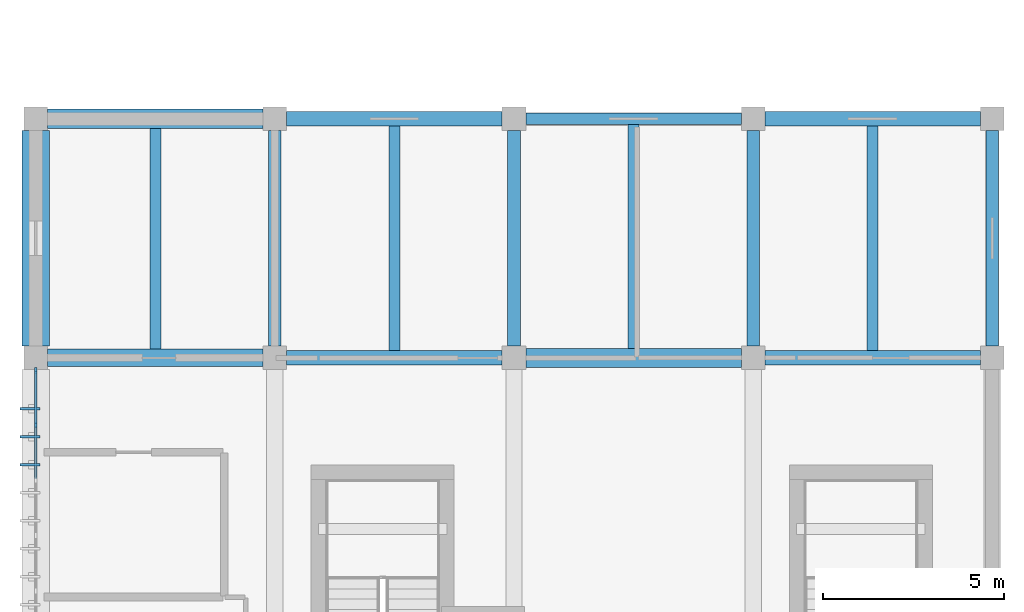
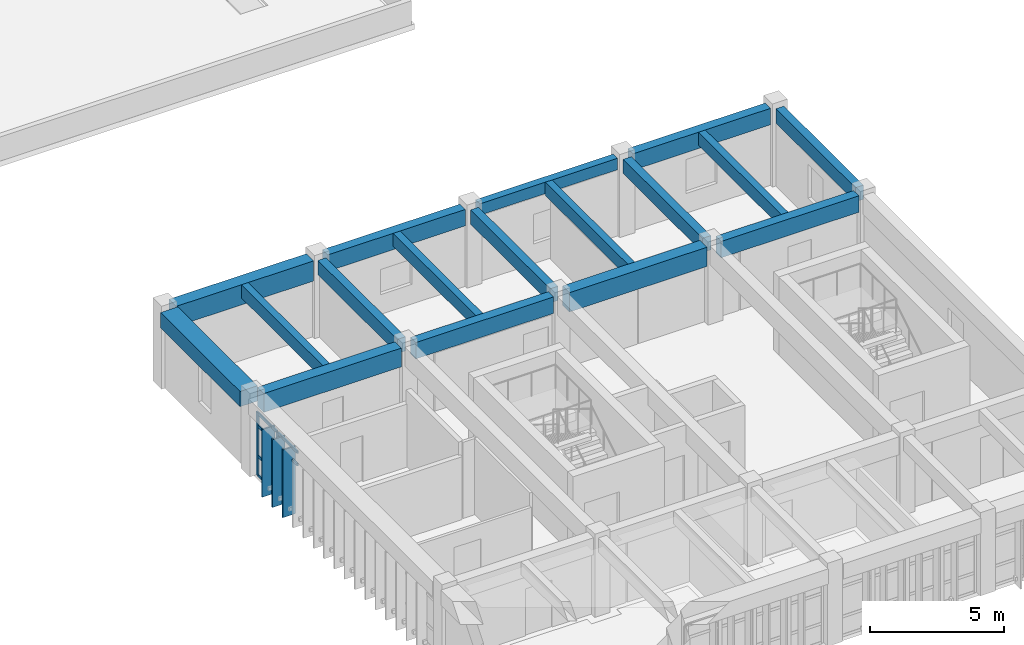
# One storey, part 4 of 9: 17 beams, 11 members, 1 element without a shape of its own.
"""IFC4 building model written with IfcOpenShell, lengths in metres."""

from ifc_helpers import new_model, si_unit, direction, frame, origin, origin_2d, place, context, subcontext, project, spatial, rectangle, extrude, material, layer, layer_set, material_profile, profile_set, type_object, element, aggregate, save


model = new_model("IFC4")

# Units and contexts
model_context = context("Model", 3, precision=1e-05, world=origin(), true_north=direction((0.0, 1.0)))
body_context = subcontext(model_context, "Body", "Model", "MODEL_VIEW")
ifc_project = project(units=[si_unit("LENGTHUNIT", "METRE"), si_unit("AREAUNIT", "SQUARE_METRE"), si_unit("VOLUMEUNIT", "CUBIC_METRE"), si_unit("PLANEANGLEUNIT", "RADIAN"), si_unit("MASSUNIT", "GRAM", prefix="KILO")], contexts=[model_context])

# Site, building, storey
site_placement = place(None, origin())
site = spatial("IfcSite", under=ifc_project, at=site_placement, CompositionType="ELEMENT")
building_placement = place(site_placement, origin())
building = spatial("IfcBuilding", under=site, at=building_placement, Name="Miralva Faculty of Natural Sciences", CompositionType="ELEMENT")
storey_placement = place(building_placement, frame((0.0, 0.0, 33.0)))
storey = spatial("IfcBuildingStorey", under=building, at=storey_placement, Name="L07", CompositionType="ELEMENT", Elevation=33.0)

# Beams
ifc_material_1 = material(Name="Concrete C40/50", Category="concrete")
ifc_material_profile_1 = material_profile(ifc_material_1, rectangle(XDim=0.39990234375, YDim=0.75, at=origin_2d()), Name="RC 400x750")
ifc_profile_set_1 = profile_set([ifc_material_profile_1], Name="Concrete C40/50")
beam_type_1 = type_object("IfcBeamType", Name="BM-B03", PredefinedType="BEAM", material=ifc_profile_set_1)
for number, where, z_axis, x_axis, name in (
    (1, (9.925048828125, 23.39990234375, 3.155029296875), (1.0, 0.0, 0.0), (0.0, 1.0, 0.0), "Girder EW L07-10"),
    (2, (23.125, 23.39990234375, 3.155029296875), (1.0, 0.0, 0.0), (0.0, 1.0, 0.0), "Girder EW L07-12"),
    (3, (9.925048828125, 30.0, 3.155029296875), (1.0, 0.0, 0.0), (0.0, 1.0, 0.0), "Girder EW L07-14"),
    (4, (23.125, 30.0, 3.155029296875), (1.0, 0.0, 0.0), (0.0, 1.0, 0.0), "Girder EW L07-16"),
):
    element("IfcBeam", number, at=place(storey_placement, frame(where, z_axis=z_axis, x_axis=x_axis)), inside=storey, type_object=beam_type_1, Name=name, PredefinedType="BEAM", context=body_context, shape_type="SweptSolid", body=[
        extrude(rectangle(XDim=0.39990234375, YDim=0.75, at=origin_2d()), origin(), (0.0, 0.0, 1.0), 5.949951171875),
    ])
ifc_material_profile_2 = material_profile(ifc_material_1, rectangle(XDim=0.35009765625, YDim=0.64990234375, at=origin_2d()), Name="RC 350x650")
ifc_profile_set_2 = profile_set([ifc_material_profile_2], Name="Concrete C40/50")
beam_type_2 = type_object("IfcBeamType", Name="BM-B05", PredefinedType="BEAM", material=ifc_profile_set_2)
for number, where, z_axis, x_axis, name in (
    (5, (9.60009765625, 23.72509765625, 3.205078125), (0.0, 1.0, 0.0), (-1.0, 0.0, 0.0), "Girder NS L07-22"),
    (6, (16.199951171875, 23.72509765625, 3.205078125), (0.0, 1.0, 0.0), (-1.0, 0.0, 0.0), "Girder NS L07-25"),
    (7, (22.800048828125, 23.72509765625, 3.205078125), (0.0, 1.0, 0.0), (-1.0, 0.0, 0.0), "Girder NS L07-28"),
    (8, (29.39990234375, 23.72509765625, 3.205078125), (0.0, 1.0, 0.0), (-1.0, 0.0, 0.0), "Girder NS L07-31"),
):
    element("IfcBeam", number, at=place(storey_placement, frame(where, z_axis=z_axis, x_axis=x_axis)), inside=storey, type_object=beam_type_2, Name=name, PredefinedType="BEAM", context=body_context, shape_type="SweptSolid", body=[
        extrude(rectangle(XDim=0.35009765625, YDim=0.64990234375, at=origin_2d()), origin(), (0.0, 0.0, 1.0), 5.949951171875),
    ])
ifc_material_profile_3 = material_profile(ifc_material_1, rectangle(XDim=0.320068359375, YDim=0.52001953125, at=origin_2d()), Name="RC 320x520")
ifc_profile_set_3 = profile_set([ifc_material_profile_3], Name="Concrete C40/50")
beam_type_3 = type_object("IfcBeamType", Name="BM-BG01", PredefinedType="BEAM", material=ifc_profile_set_3)
beam_1_placement = place(storey_placement, frame((16.52490234375, 30.0, 3.27001953125), z_axis=(1.0, 0.0, 0.0), x_axis=(0.0, 1.0, 0.0)))
element("IfcBeam", 9, at=beam_1_placement, inside=storey, type_object=beam_type_3, Name="Girder EW L07-15", PredefinedType="BEAM", context=body_context, shape_type="SweptSolid", body=[
    extrude(rectangle(XDim=0.320068359375, YDim=0.52001953125, at=origin_2d()), origin(), (0.0, 0.0, 1.0), 5.9501953125),
])
ifc_material_profile_4 = material_profile(ifc_material_1, rectangle(XDim=0.47998046875, YDim=0.860107421875, at=origin_2d()), Name="RC 480x860")
ifc_profile_set_4 = profile_set([ifc_material_profile_4], Name="Concrete C40/50")
beam_type_4 = type_object("IfcBeamType", Name="BM-BG17", PredefinedType="BEAM", material=ifc_profile_set_4)
beam_2_placement = place(storey_placement, frame((3.324951171875, 23.39990234375, 3.10009765625), z_axis=(1.0, 0.0, 0.0), x_axis=(0.0, 1.0, 0.0)))
element("IfcBeam", 10, at=beam_2_placement, inside=storey, type_object=beam_type_4, Name="Girder EW L07-9", PredefinedType="BEAM", context=body_context, shape_type="SweptSolid", body=[
    extrude(rectangle(XDim=0.47998046875, YDim=0.860107421875, at=origin_2d()), origin(), (0.0, 0.0, 1.0), 5.949951171875),
])
ifc_material_profile_5 = material_profile(ifc_material_1, rectangle(XDim=0.52001953125, YDim=0.8798828125, at=origin_2d()), Name="RC 520x880")
ifc_profile_set_5 = profile_set([ifc_material_profile_5], Name="Concrete C40/50")
beam_type_5 = type_object("IfcBeamType", Name="BM-BG19", PredefinedType="BEAM", material=ifc_profile_set_5)
beam_3_placement = place(storey_placement, frame((16.52490234375, 23.39990234375, 3.090087890625), z_axis=(1.0, 0.0, 0.0), x_axis=(0.0, 1.0, 0.0)))
element("IfcBeam", 11, at=beam_3_placement, inside=storey, type_object=beam_type_5, Name="Girder EW L07-11", PredefinedType="BEAM", context=body_context, shape_type="SweptSolid", body=[
    extrude(rectangle(XDim=0.52001953125, YDim=0.8798828125, at=origin_2d()), origin(), (0.0, 0.0, 1.0), 5.9501953125),
])
ifc_material_profile_6 = material_profile(ifc_material_1, rectangle(XDim=0.5400390625, YDim=0.919921875, at=origin_2d()), Name="RC 540x920")
ifc_profile_set_6 = profile_set([ifc_material_profile_6], Name="Concrete C40/50")
beam_type_6 = type_object("IfcBeamType", Name="BM-BG21", PredefinedType="BEAM", material=ifc_profile_set_6)
beam_4_placement = place(storey_placement, frame((3.324951171875, 30.0, 3.070068359375), z_axis=(1.0, 0.0, 0.0), x_axis=(0.0, 1.0, 0.0)))
element("IfcBeam", 12, at=beam_4_placement, inside=storey, type_object=beam_type_6, Name="Girder EW L07-13", PredefinedType="BEAM", context=body_context, shape_type="SweptSolid", body=[
    extrude(rectangle(XDim=0.5400390625, YDim=0.919921875, at=origin_2d()), origin(), (0.0, 0.0, 1.0), 5.949951171875),
])
ifc_material_profile_7 = material_profile(ifc_material_1, rectangle(XDim=0.300048828125, YDim=0.60009765625, at=origin_2d()), Name="RC 300x600")
ifc_profile_set_7 = profile_set([ifc_material_profile_7], Name="Concrete C40/50")
beam_type_7 = type_object("IfcBeamType", Name="BM-J01", PredefinedType="JOIST", material=ifc_profile_set_7)
beam_5_placement = place(storey_placement, frame((6.300048828125, 23.639892578125, 3.22998046875), z_axis=(0.0, 1.0, 0.0), x_axis=(-1.0, 0.0, 0.0)))
element("IfcBeam", 13, at=beam_5_placement, inside=storey, type_object=beam_type_7, Name="Floor joist L07-5", PredefinedType="JOIST", context=body_context, shape_type="SweptSolid", body=[
    extrude(rectangle(XDim=0.300048828125, YDim=0.60009765625, at=origin_2d()), origin(), (0.0, 0.0, 1.0), 6.090087890625),
])
beam_6_placement = place(storey_placement, frame((12.89990234375, 23.60009765625, 3.22998046875), z_axis=(0.0, 1.0, 0.0), x_axis=(-1.0, 0.0, 0.0)))
element("IfcBeam", 14, at=beam_6_placement, inside=storey, type_object=beam_type_7, Name="Floor joist L07-6", PredefinedType="JOIST", context=body_context, shape_type="SweptSolid", body=[
    extrude(rectangle(XDim=0.300048828125, YDim=0.60009765625, at=origin_2d()), origin(), (0.0, 0.0, 1.0), 6.199951171875),
])
beam_7_placement = place(storey_placement, frame((19.5, 23.659912109375, 3.22998046875), z_axis=(0.0, 1.0, 0.0), x_axis=(-1.0, 0.0, 0.0)))
element("IfcBeam", 15, at=beam_7_placement, inside=storey, type_object=beam_type_7, Name="Floor joist L07-7", PredefinedType="JOIST", context=body_context, shape_type="SweptSolid", body=[
    extrude(rectangle(XDim=0.300048828125, YDim=0.60009765625, at=origin_2d()), origin(), (0.0, 0.0, 1.0), 6.18017578125),
])
beam_8_placement = place(storey_placement, frame((26.10009765625, 23.60009765625, 3.22998046875), z_axis=(0.0, 1.0, 0.0), x_axis=(-1.0, 0.0, 0.0)))
element("IfcBeam", 16, at=beam_8_placement, inside=storey, type_object=beam_type_7, Name="Floor joist L07-8", PredefinedType="JOIST", context=body_context, shape_type="SweptSolid", body=[
    extrude(rectangle(XDim=0.300048828125, YDim=0.60009765625, at=origin_2d()), origin(), (0.0, 0.0, 1.0), 6.199951171875),
])
ifc_material_profile_8 = material_profile(ifc_material_1, rectangle(XDim=0.75, YDim=0.699951171875, at=origin_2d()), Name="RC 750x700")
ifc_profile_set_8 = profile_set([ifc_material_profile_8], Name="Concrete C40/50")
beam_type_8 = type_object("IfcBeamType", Name="BM-SP01", PredefinedType="SPANDREL", material=ifc_profile_set_8)
beam_9_placement = place(storey_placement, frame((3.0, 23.72509765625, 3.179931640625), z_axis=(0.0, 1.0, 0.0), x_axis=(-1.0, 0.0, 0.0)))
element("IfcBeam", 17, at=beam_9_placement, inside=storey, type_object=beam_type_8, Name="Girder NS L07-19", PredefinedType="SPANDREL", context=body_context, shape_type="SweptSolid", body=[
    extrude(rectangle(XDim=0.75, YDim=0.699951171875, at=origin_2d()), origin(), (0.0, 0.0, 1.0), 5.949951171875),
])

# Curtain wall, members
ifc_material_2 = material(Name="Laminated solar-control glass", Category="glass")
ifc_layer = layer(ifc_material_2, 0.179931640625, Name="CW-TWR-L07")
ifc_layer_set = layer_set([ifc_layer], Name="Laminated solar-control glass")
curtain_wall_type = type_object("IfcCurtainWallType", Name="CW-TWR-L07", PredefinedType="USERDEFINED", material=ifc_layer_set)
curtain_wall_placement = place(storey_placement, origin())
curtain_wall = element("IfcCurtainWall", 18, at=curtain_wall_placement, inside=storey, type_object=curtain_wall_type, Name="Curtain wall CW-15 L07-246", ObjectType="UNITISED CURTAIN WALL", PredefinedType="USERDEFINED")
ifc_material_3 = material(Name="Anodised aluminium", Category="aluminium")
ifc_material_profile_9 = material_profile(ifc_material_3, rectangle(XDim=0.06494140625, YDim=0.159912109375, at=origin_2d()), Name="MULLION 65x160")
ifc_profile_set_9 = profile_set([ifc_material_profile_9], Name="Anodised aluminium")
member_type_1 = type_object("IfcMemberType", Name="CW-M02", PredefinedType="MULLION", material=ifc_profile_set_9)
member_1_placement = place(storey_placement, frame((3.0, 21.554931640625, 0.0), z_axis=(0.0, 0.0, 1.0), x_axis=(-1.0, 0.0, 0.0)))
member_1 = element("IfcMember", 19, at=member_1_placement, type_object=member_type_1, Name="CW-15 mullion 9", PredefinedType="MULLION", context=body_context, shape_type="SweptSolid", body=[
    extrude(rectangle(XDim=0.06494140625, YDim=0.159912109375, at=origin_2d()), origin(), (0.0, 0.0, 1.0), 2.875),
])
member_2_placement = place(storey_placement, frame((3.0, 23.052490234375, 0.0), z_axis=(0.0, 0.0, 1.0), x_axis=(-1.0, 0.0, 0.0)))
member_2 = element("IfcMember", 20, at=member_2_placement, type_object=member_type_1, Name="CW-15 mullion 10", PredefinedType="MULLION", context=body_context, shape_type="SweptSolid", body=[
    extrude(rectangle(XDim=0.06494140625, YDim=0.159912109375, at=origin_2d()), origin(), (0.0, 0.0, 1.0), 2.875),
])
ifc_material_profile_10 = material_profile(ifc_material_3, rectangle(XDim=0.06005859375, YDim=0.1201171875, at=origin_2d()), Name="TRANSOM 60x120")
ifc_profile_set_10 = profile_set([ifc_material_profile_10], Name="Anodised aluminium")
member_type_2 = type_object("IfcMemberType", Name="CW-T02", PredefinedType="USERDEFINED", material=ifc_profile_set_10)
member_3_placement = place(storey_placement, frame((3.0, 20.0576171875, 2.27490234375), z_axis=(0.0, 1.0, 0.0), x_axis=(-1.0, 0.0, 0.0)))
member_3 = element("IfcMember", 21, at=member_3_placement, type_object=member_type_2, Name="CW-15 transom 8.3", ObjectType="TRANSOM", PredefinedType="USERDEFINED", context=body_context, shape_type="SweptSolid", body=[
    extrude(rectangle(XDim=0.06005859375, YDim=0.1201171875, at=origin_2d()), origin(), (0.0, 0.0, 1.0), 1.46484375),
])
member_4_placement = place(storey_placement, frame((3.0, 20.0576171875, 2.844970703125), z_axis=(0.0, 1.0, 0.0), x_axis=(-1.0, 0.0, 0.0)))
member_4 = element("IfcMember", 22, at=member_4_placement, type_object=member_type_2, Name="CW-15 transom 8.4", ObjectType="TRANSOM", PredefinedType="USERDEFINED", context=body_context, shape_type="SweptSolid", body=[
    extrude(rectangle(XDim=0.06005859375, YDim=0.1201171875, at=origin_2d()), origin(), (0.0, 0.0, 1.0), 1.46484375),
])
member_5_placement = place(storey_placement, frame((3.0, 21.58740234375, 0.030029296875), z_axis=(0.0, 1.0, 0.0), x_axis=(-1.0, 0.0, 0.0)))
member_5 = element("IfcMember", 23, at=member_5_placement, type_object=member_type_2, Name="CW-15 transom 9.1", ObjectType="TRANSOM", PredefinedType="USERDEFINED", context=body_context, shape_type="SweptSolid", body=[
    extrude(rectangle(XDim=0.06005859375, YDim=0.1201171875, at=origin_2d()), origin(), (0.0, 0.0, 1.0), 1.4326171875),
])
member_6_placement = place(storey_placement, frame((3.0, 21.58740234375, 0.89990234375), z_axis=(0.0, 1.0, 0.0), x_axis=(-1.0, 0.0, 0.0)))
member_6 = element("IfcMember", 24, at=member_6_placement, type_object=member_type_2, Name="CW-15 transom 9.2", ObjectType="TRANSOM", PredefinedType="USERDEFINED", context=body_context, shape_type="SweptSolid", body=[
    extrude(rectangle(XDim=0.06005859375, YDim=0.1201171875, at=origin_2d()), origin(), (0.0, 0.0, 1.0), 1.4326171875),
])
member_7_placement = place(storey_placement, frame((3.0, 21.58740234375, 2.27490234375), z_axis=(0.0, 1.0, 0.0), x_axis=(-1.0, 0.0, 0.0)))
member_7 = element("IfcMember", 25, at=member_7_placement, type_object=member_type_2, Name="CW-15 transom 9.3", ObjectType="TRANSOM", PredefinedType="USERDEFINED", context=body_context, shape_type="SweptSolid", body=[
    extrude(rectangle(XDim=0.06005859375, YDim=0.1201171875, at=origin_2d()), origin(), (0.0, 0.0, 1.0), 1.4326171875),
])
member_8_placement = place(storey_placement, frame((3.0, 21.58740234375, 2.844970703125), z_axis=(0.0, 1.0, 0.0), x_axis=(-1.0, 0.0, 0.0)))
member_8 = element("IfcMember", 26, at=member_8_placement, type_object=member_type_2, Name="CW-15 transom 9.4", ObjectType="TRANSOM", PredefinedType="USERDEFINED", context=body_context, shape_type="SweptSolid", body=[
    extrude(rectangle(XDim=0.06005859375, YDim=0.1201171875, at=origin_2d()), origin(), (0.0, 0.0, 1.0), 1.4326171875),
])
aggregate(curtain_wall, [member_1, member_2, member_3, member_4, member_5, member_6, member_7, member_8])

# Members
ifc_material_profile_11 = material_profile(ifc_material_3, rectangle(XDim=0.06494140625, YDim=0.550048828125, at=origin_2d()), Name="FIN 550x65")
ifc_profile_set_11 = profile_set([ifc_material_profile_11], Name="Anodised aluminium")
member_type_3 = type_object("IfcMemberType", Name="MEM-SF03", PredefinedType="USERDEFINED", material=ifc_profile_set_11)
for number, where, z_axis, x_axis, name in (
    (27, (2.840087890625, 20.4521484375, -0.219970703125), (0.0, 0.0, 1.0), (0.0, -1.0, 0.0), "Solar shading fin SF-03 L07-431"),
    (28, (2.840087890625, 21.225341796875, -0.219970703125), (0.0, 0.0, 1.0), (0.0, -1.0, 0.0), "Solar shading fin SF-03 L07-432"),
    (29, (2.840087890625, 21.998291015625, -0.219970703125), (0.0, 0.0, 1.0), (0.0, -1.0, 0.0), "Solar shading fin SF-03 L07-433"),
):
    element("IfcMember", number, at=place(storey_placement, frame(where, z_axis=z_axis, x_axis=x_axis)), inside=storey, type_object=member_type_3, Name=name, ObjectType="SUNSHADE", PredefinedType="USERDEFINED", context=body_context, shape_type="SweptSolid", body=[
        extrude(rectangle(XDim=0.06494140625, YDim=0.550048828125, at=origin_2d()), origin(), (0.0, 0.0, 1.0), 3.094970703125),
    ])

save(model, "model.ifc")
